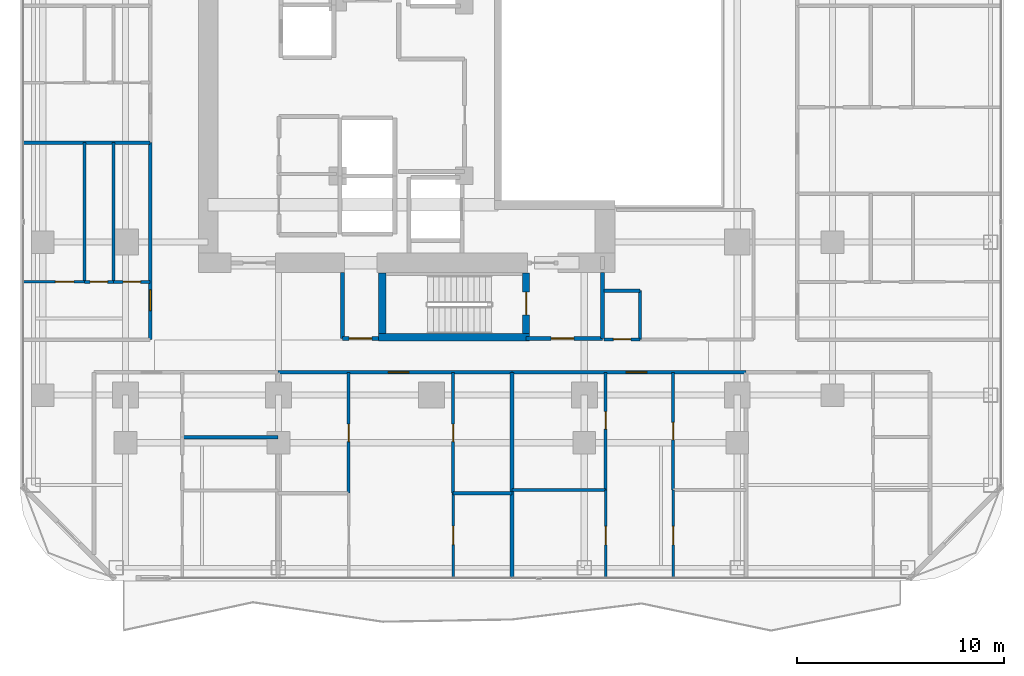
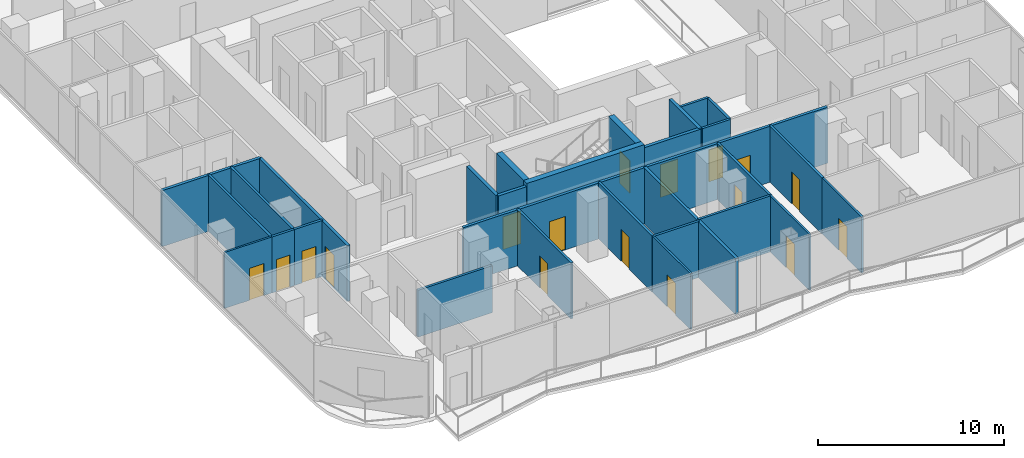
# One storey, part 21 of 29: 30 walls, 17 doors, 17 openings.
"""IFC4 building model written with IfcOpenShell, lengths in metres."""

import ifcopenshell
import ifcopenshell.guid

model = None  # the IFC model being written
_history = None  # IfcOwnerHistory: only IFC2X3 demands one
_inside = {}  # id of a spatial element -> (the spatial element, [elements in it])
_under = {}  # id of a project, library or spatial element -> (it, [spatial elements below it])
_declared = {}  # id of a project -> (the project, [libraries it declares])
_typed = {}  # id of a type object -> (the type object, [elements of that type])
_made_of = {}  # id of a material, layer set ... -> (it, [elements and type objects made of it])


def new_model(schema):
    """Start an empty IFC model of exactly this schema.

    Asked for "IFC4X3", IfcOpenShell would pick the latest addendum, in which some entities
    have other attributes; the version numbers below select the first issue.
    IFC2X3 requires an IfcOwnerHistory on every rooted entity: one is made here for all.
    """
    global model, _history
    if schema == "IFC4X3":
        model = ifcopenshell.file(schema_version=(4, 3, 0, 0))
    else:
        model = ifcopenshell.file(schema=schema)
    _inside.clear()
    _under.clear()
    _declared.clear()
    _typed.clear()
    _made_of.clear()
    _history = None
    if model.schema == "IFC2X3":
        org = make("IfcOrganization", Name="unknown")
        user = make(
            "IfcPersonAndOrganization",
            ThePerson=make("IfcPerson", FamilyName="unknown"),
            TheOrganization=org,
        )
        app = make(
            "IfcApplication",
            ApplicationDeveloper=org,
            Version="unknown",
            ApplicationFullName="unknown",
            ApplicationIdentifier="unknown",
        )
        _history = make(
            "IfcOwnerHistory",
            OwningUser=user,
            OwningApplication=app,
            ChangeAction="ADDED",
            CreationDate=0,
        )
    return model


def make(cls, **values):
    """One entity of the class cls with the attributes given. An attribute that is None is left unset."""
    return model.create_entity(
        cls, **{name: value for name, value in values.items() if value is not None}
    )


def rooted(cls, **values):
    """An entity with a GlobalId (a new one), such as an element, a storey or a relation."""
    return make(cls, GlobalId=ifcopenshell.guid.new(), OwnerHistory=_history, **values)


def si_unit(unit_type, name, prefix=None):
    """IfcSIUnit, for example si_unit("LENGTHUNIT", "METRE", prefix="MILLI")."""
    return make("IfcSIUnit", UnitType=unit_type, Prefix=prefix, Name=name)


def assignment(units):
    """IfcUnitAssignment: the units of a project."""
    return None if units is None else make("IfcUnitAssignment", Units=units)


def point(xyz):
    """IfcCartesianPoint."""
    return None if xyz is None else make("IfcCartesianPoint", Coordinates=xyz)


def direction(xyz):
    """IfcDirection."""
    return None if xyz is None else make("IfcDirection", DirectionRatios=xyz)


def frame(location, z_axis=None, x_axis=None):
    """IfcAxis2Placement3D, a coordinate frame: its origin and axes. An axis left out is left unset."""
    return make(
        "IfcAxis2Placement3D",
        Location=point(location),
        Axis=direction(z_axis),
        RefDirection=direction(x_axis),
    )


def frame_2d(location, x_axis=None):
    """IfcAxis2Placement2D, a coordinate frame in the plane: its origin and x axis."""
    return make(
        "IfcAxis2Placement2D", Location=point(location), RefDirection=direction(x_axis)
    )


def origin():
    """The frame at (0, 0, 0) with its axes left unset."""
    return frame((0.0, 0.0, 0.0))


def place(relative_to, where):
    """IfcLocalPlacement: puts the frame where relative to a parent placement (None: the world)."""
    return make(
        "IfcLocalPlacement", PlacementRelTo=relative_to, RelativePlacement=where
    )


def context(
    kind, dimensions, precision=None, world=None, true_north=None, identifier=None
):
    """IfcGeometricRepresentationContext, for example the 3D "Model" context."""
    return make(
        "IfcGeometricRepresentationContext",
        ContextIdentifier=identifier,
        ContextType=kind,
        CoordinateSpaceDimension=dimensions,
        Precision=precision,
        WorldCoordinateSystem=world,
        TrueNorth=true_north,
    )


def subcontext(parent, identifier, kind, view, scale=None):
    """IfcGeometricRepresentationSubContext, for example "Body" below "Model"."""
    return make(
        "IfcGeometricRepresentationSubContext",
        ContextIdentifier=identifier,
        ContextType=kind,
        ParentContext=parent,
        TargetScale=scale,
        TargetView=view,
    )


def project(units=None, contexts=None):
    """IfcProject with its units and contexts."""
    return rooted(
        "IfcProject",
        Name="project",
        RepresentationContexts=contexts,
        UnitsInContext=assignment(units),
    )


def spatial(cls, under=None, at=None, **own):
    """A site, building, storey or space (cls), placed at a placement, below another one or the project."""
    s = rooted(cls, ObjectPlacement=at, **own)
    if under is not None:
        _under.setdefault(under.id(), (under, []))[1].append(s)
    return s


def profile(cls, at=None, kind="AREA", **sizes):
    """A parametric profile (cls). Its sizes go by their IFC names, for example OverallWidth=200.0."""
    return make(cls, ProfileType=kind, Position=at, **sizes)


def rectangle(**sizes):
    """IfcRectangleProfileDef."""
    return profile("IfcRectangleProfileDef", **sizes)


def extrude(swept, where, along, depth):
    """IfcExtrudedAreaSolid: the profile swept, set in the frame where, extruded along a direction by depth."""
    return make(
        "IfcExtrudedAreaSolid",
        SweptArea=swept,
        Position=where,
        ExtrudedDirection=direction(along),
        Depth=depth,
    )


def shape(context_of_items, identifier, shape_type, items):
    """IfcShapeRepresentation: the items that make up one representation, for example the "Body"."""
    return make(
        "IfcShapeRepresentation",
        ContextOfItems=context_of_items,
        RepresentationIdentifier=identifier,
        RepresentationType=shape_type,
        Items=items,
    )


def material(Name=None, Category=None):
    """IfcMaterial."""
    return make("IfcMaterial", Name=Name, Category=Category)


def layer(
    of_material, thickness, ventilated=None, Name=None, Category=None, Priority=None
):
    """IfcMaterialLayer: one layer of a wall or slab, of a material (None: an air gap)."""
    return make(
        "IfcMaterialLayer",
        Material=of_material,
        LayerThickness=thickness,
        IsVentilated=ventilated,
        Name=Name,
        Category=Category,
        Priority=Priority,
    )


def layer_set(layers, Name=None):
    """IfcMaterialLayerSet."""
    return make("IfcMaterialLayerSet", MaterialLayers=layers, LayerSetName=Name)


def made_of(thing, what):
    """Note that an element or type object is made of a material, layer set ...; save() writes the relation."""
    if what is not None:
        _made_of.setdefault(what.id(), (what, []))[1].append(thing)
    return thing


def type_object(cls, material=None, **own):
    """A type object (cls), such as IfcWallType, which elements share."""
    return made_of(rooted(cls, **own), material)


def element(
    cls,
    number,
    at=None,
    inside=None,
    cuts=None,
    type_object=None,
    material=None,
    context=None,
    identifier="Body",
    shape_type=None,
    held_by="IfcProductDefinitionShape",
    body=None,
    shapes=None,
    **own,
):
    """One element of the class cls, such as IfcWall. Its Tag is "e" and its number.

    at: its placement. inside: the storey or other place that contains it. cuts: it is an
    opening in that element (IfcRelVoidsElement). A single representation is given by context,
    identifier, shape_type and body (its items); several are given by shapes. held_by: the class
    of the entity that holds the representations. save() writes the other relations.
    """
    e = rooted(cls, Tag="e%d" % number, ObjectPlacement=at, **own)
    if body is not None:
        shapes = [shape(context, identifier, shape_type, body)]
    if shapes is not None:
        e.Representation = make(held_by, Representations=shapes)
    if inside is not None:
        _inside.setdefault(inside.id(), (inside, []))[1].append(e)
    if cuts is not None:
        rooted(
            "IfcRelVoidsElement", RelatingBuildingElement=cuts, RelatedOpeningElement=e
        )
    if type_object is not None:
        _typed.setdefault(type_object.id(), (type_object, []))[1].append(e)
    return made_of(e, material)


def fill(opening, filler):
    """IfcRelFillsElement: the door or window that sits in an opening."""
    return rooted(
        "IfcRelFillsElement",
        RelatingOpeningElement=opening,
        RelatedBuildingElement=filler,
    )


def aggregate(whole, parts):
    """IfcRelAggregates: a whole, such as a stair, and the parts it consists of."""
    return rooted("IfcRelAggregates", RelatingObject=whole, RelatedObjects=parts)


def save(model, path):
    """Write the relations noted so far, then the file.

    IfcRelAggregates (storeys below a building ...), IfcRelContainedInSpatialStructure (elements
    in a storey), IfcRelDefinesByType, IfcRelAssociatesMaterial and IfcRelDeclares: one each for
    every whole, place, type object, material and project.
    """
    for whole, parts in _under.values():
        aggregate(whole, parts)
    for where, things in _inside.values():
        rooted(
            "IfcRelContainedInSpatialStructure",
            RelatedElements=things,
            RelatingStructure=where,
        )
    for kind, things in _typed.values():
        rooted("IfcRelDefinesByType", RelatedObjects=things, RelatingType=kind)
    for what, things in _made_of.values():
        rooted("IfcRelAssociatesMaterial", RelatedObjects=things, RelatingMaterial=what)
    for by, libraries in _declared.values():
        rooted("IfcRelDeclares", RelatingContext=by, RelatedDefinitions=libraries)
    model.write(path)


model = new_model("IFC4")

# Units and contexts
model_context = context("Model", 3, precision=1e-05, world=origin(), true_north=direction((0.0, 1.0)))
body_context = subcontext(model_context, "Body", "Model", "MODEL_VIEW")
ifc_project = project(units=[si_unit("LENGTHUNIT", "METRE"), si_unit("AREAUNIT", "SQUARE_METRE"), si_unit("VOLUMEUNIT", "CUBIC_METRE"), si_unit("PLANEANGLEUNIT", "RADIAN"), si_unit("MASSUNIT", "GRAM", prefix="KILO")], contexts=[model_context])

# Site, building, storey
site_placement = place(None, origin())
site = spatial("IfcSite", under=ifc_project, at=site_placement, CompositionType="ELEMENT")
building_placement = place(site_placement, origin())
building = spatial("IfcBuilding", under=site, at=building_placement, Name="Khorvyn Point Tower", CompositionType="ELEMENT")
storey_placement = place(building_placement, frame((0.0, 0.0, 140.699951171875)))
storey = spatial("IfcBuildingStorey", under=building, at=storey_placement, Name="L35", CompositionType="ELEMENT", Elevation=140.699951171875)

# Wall, opening, door
ifc_material_1 = material(Name="Double acoustic gypsum on twin steel stud", Category="steel")
ifc_layer_1 = layer(ifc_material_1, 0.179931640625)
ifc_layer_set_1 = layer_set([ifc_layer_1], Name="Acoustic Double-Stud Apartment Demising Wall 180")
wall_type_1 = type_object("IfcWallType", Name="Acoustic Double-Stud Apartment Demising Wall 180", PredefinedType="PARTITIONING", material=ifc_layer_set_1)
wall_1_placement = place(storey_placement, frame((-7.423095703125, -13.699951171875, 0.0), z_axis=(0.0, 0.0, 1.0), x_axis=(1.0, 0.0, 0.0)))
wall_1 = element("IfcWall", 1, at=wall_1_placement, inside=storey, type_object=wall_type_1, Name="Wall", PredefinedType="PARTITIONING", context=body_context, shape_type="SweptSolid", body=[
    extrude(rectangle(XDim=11.322998046875, YDim=0.179931640625, at=frame_2d((5.66162109375, 0.0))), origin(), (0.0, 0.0, 1.0), 3.679931640625),
])
opening_1_placement = place(wall_1_placement, frame((5.340087890625, 0.0, 0.0)))
opening_1 = element("IfcOpeningElement", 2, at=opening_1_placement, cuts=wall_1, Name="Opening ID-AP60", PredefinedType="OPENING", context=body_context, shape_type="SweptSolid", body=[
    extrude(rectangle(XDim=1.0, YDim=2.199951171875, at=frame_2d((0.5, 1.10009765625))), frame((0.0, 0.099853515625, 0.0), z_axis=(0.0, -1.0, 0.0), x_axis=(1.0, 0.0, 0.0)), (0.0, 0.0, 1.0), 0.199951171875),
])
ifc_material_2 = material(Name="Engineered hardwood fire-rated leaf", Category="wood")
door_type_1 = type_object("IfcDoorType", Name="Acoustic Solid-Core Timber Apartment Entrance Door 1000x2200", OperationType="NOTDEFINED", PredefinedType="DOOR", material=ifc_material_2)
door_1_placement = place(opening_1_placement, origin())
door_1 = element("IfcDoor", 3, at=door_1_placement, inside=storey, type_object=door_type_1, Name="Door", OperationType="SINGLE_SWING_RIGHT", OverallHeight=2.199951171875, OverallWidth=1.0, PredefinedType="DOOR", context=body_context, shape_type="SweptSolid", body=[
    extrude(rectangle(XDim=1.0, YDim=2.199951171875, at=frame_2d((0.5, 1.10009765625))), frame((0.0, 0.02490234375, 0.0), z_axis=(0.0, -1.0, 0.0), x_axis=(1.0, 0.0, 0.0)), (0.0, 0.0, 1.0), 0.050048828125),
])
fill(opening_1, door_1)

wall_2_placement = place(storey_placement, frame((3.89990234375, -13.699951171875, 0.0), z_axis=(0.0, 0.0, 1.0), x_axis=(1.0, 0.0, 0.0)))
wall_2 = element("IfcWall", 4, at=wall_2_placement, inside=storey, type_object=wall_type_1, Name="Wall", PredefinedType="PARTITIONING", context=body_context, shape_type="SweptSolid", body=[
    extrude(rectangle(XDim=11.322998046875, YDim=0.179931640625, at=frame_2d((5.66162109375, 0.0))), origin(), (0.0, 0.0, 1.0), 3.679931640625),
])
opening_2_placement = place(wall_2_placement, frame((5.518798828125, 0.0, 0.0)))
opening_2 = element("IfcOpeningElement", 5, at=opening_2_placement, cuts=wall_2, Name="Opening ID-AP60", PredefinedType="OPENING", context=body_context, shape_type="SweptSolid", body=[
    extrude(rectangle(XDim=1.0, YDim=2.199951171875, at=frame_2d((0.5, 1.10009765625))), frame((0.0, 0.099853515625, 0.0), z_axis=(0.0, -1.0, 0.0), x_axis=(1.0, 0.0, 0.0)), (0.0, 0.0, 1.0), 0.199951171875),
])
door_2_placement = place(opening_2_placement, origin())
door_2 = element("IfcDoor", 6, at=door_2_placement, inside=storey, type_object=door_type_1, Name="Door", OperationType="SINGLE_SWING_LEFT", OverallHeight=2.199951171875, OverallWidth=1.0, PredefinedType="DOOR", context=body_context, shape_type="SweptSolid", body=[
    extrude(rectangle(XDim=1.0, YDim=2.199951171875, at=frame_2d((0.5, 1.10009765625))), frame((0.0, 0.02490234375, 0.0), z_axis=(0.0, -1.0, 0.0), x_axis=(1.0, 0.0, 0.0)), (0.0, 0.0, 1.0), 0.050048828125),
])
fill(opening_2, door_2)

wall_3_placement = place(storey_placement, frame((-13.60009765625, -12.1201171875, 0.0), z_axis=(0.0, 0.0, 1.0), x_axis=(0.0, 1.0, 0.0)))
wall_3 = element("IfcWall", 7, at=wall_3_placement, inside=storey, type_object=wall_type_1, Name="Wall", PredefinedType="PARTITIONING", context=body_context, shape_type="SweptSolid", body=[
    extrude(rectangle(XDim=9.5341796875, YDim=0.179931640625, at=frame_2d((4.76708984375, 0.0))), origin(), (0.0, 0.0, 1.0), 3.679931640625),
])
opening_3_placement = place(wall_3_placement, frame((1.409912109375, 0.0, 0.0)))
opening_3 = element("IfcOpeningElement", 8, at=opening_3_placement, cuts=wall_3, Name="Opening ID-AP60", PredefinedType="OPENING", context=body_context, shape_type="SweptSolid", body=[
    extrude(rectangle(XDim=1.0, YDim=2.199951171875, at=frame_2d((0.5, 1.10009765625))), frame((0.0, 0.099853515625, 0.0), z_axis=(0.0, -1.0, 0.0), x_axis=(1.0, 0.0, 0.0)), (0.0, 0.0, 1.0), 0.199951171875),
])
door_3_placement = place(opening_3_placement, origin())
door_3 = element("IfcDoor", 9, at=door_3_placement, inside=storey, type_object=door_type_1, Name="Door", OperationType="SINGLE_SWING_RIGHT", OverallHeight=2.199951171875, OverallWidth=1.0, PredefinedType="DOOR", context=body_context, shape_type="SweptSolid", body=[
    extrude(rectangle(XDim=1.0, YDim=2.199951171875, at=frame_2d((0.5, 1.10009765625))), frame((0.0, 0.02490234375, 0.0), z_axis=(0.0, -1.0, 0.0), x_axis=(1.0, 0.0, 0.0)), (0.0, 0.0, 1.0), 0.050048828125),
])
fill(opening_3, door_3)

# Walls
wall_4_placement = place(storey_placement, frame((3.89990234375, -23.6298828125, 0.0), z_axis=(0.0, 0.0, 1.0), x_axis=(0.0, 1.0, 0.0)))
element("IfcWall", 10, at=wall_4_placement, inside=storey, type_object=wall_type_1, Name="Wall", PredefinedType="PARTITIONING", context=body_context, shape_type="SweptSolid", body=[
    extrude(rectangle(XDim=9.929931640625, YDim=0.179931640625, at=frame_2d((4.96484375, 0.0))), origin(), (0.0, 0.0, 1.0), 3.679931640625),
])
wall_5_placement = place(storey_placement, frame((-19.72998046875, -2.5859375, 0.0), z_axis=(0.0, 0.0, 1.0), x_axis=(1.0, 0.0, 0.0)))
element("IfcWall", 11, at=wall_5_placement, inside=storey, type_object=wall_type_1, Name="Wall", PredefinedType="PARTITIONING", context=body_context, shape_type="SweptSolid", body=[
    extrude(rectangle(XDim=6.1298828125, YDim=0.179931640625, at=frame_2d((3.06494140625, 0.0))), origin(), (0.0, 0.0, 1.0), 3.679931640625),
])

# Wall, opening, door
ifc_material_3 = material(Name="Concrete C40/50", Category="concrete")
ifc_layer_2 = layer(ifc_material_3, 0.199951171875)
ifc_layer_set_2 = layer_set([ifc_layer_2], Name="Concrete C40/50 Fire-Lobby Compartment Wall 200")
wall_type_2 = type_object("IfcWallType", Name="Concrete C40/50 Fire-Lobby Compartment Wall 200", PredefinedType="SOLIDWALL", material=ifc_layer_set_2)
wall_6_placement = place(storey_placement, frame((4.580078125, -12.06005859375, 0.0), z_axis=(0.0, 0.0, 1.0), x_axis=(1.0, 0.0, 0.0)))
wall_6 = element("IfcWall", 12, at=wall_6_placement, inside=storey, type_object=wall_type_2, Name="Wall", PredefinedType="SOLIDWALL", context=body_context, shape_type="SweptSolid", body=[
    extrude(rectangle(XDim=3.699951171875, YDim=0.199951171875, at=frame_2d((1.85009765625, 0.0))), origin(), (0.0, 0.0, 1.0), 3.679931640625),
])
opening_4_placement = place(wall_6_placement, frame((1.21240234375, 0.0, 0.0)))
opening_4 = element("IfcOpeningElement", 13, at=opening_4_placement, cuts=wall_6, Name="Opening ID-FL90", PredefinedType="OPENING", context=body_context, shape_type="SweptSolid", body=[
    extrude(rectangle(XDim=1.10009765625, YDim=2.14990234375, at=frame_2d((0.550048828125, 1.074951171875))), frame((0.0, 0.10986328125, 0.0), z_axis=(0.0, -1.0, 0.0), x_axis=(1.0, 0.0, 0.0)), (0.0, 0.0, 1.0), 0.219970703125),
])
ifc_material_4 = material(Name="Galvanised powder-coated steel", Category="steel")
door_type_2 = type_object("IfcDoorType", Name="Fire-Rated Steel Lobby and Stair Door 1100x2150", OperationType="NOTDEFINED", PredefinedType="DOOR", material=ifc_material_4)
door_4_placement = place(opening_4_placement, origin())
door_4 = element("IfcDoor", 14, at=door_4_placement, inside=storey, type_object=door_type_2, Name="Door", OperationType="SINGLE_SWING_LEFT", OverallHeight=2.14990234375, OverallWidth=1.10009765625, PredefinedType="DOOR", context=body_context, shape_type="SweptSolid", body=[
    extrude(rectangle(XDim=1.10009765625, YDim=2.14990234375, at=frame_2d((0.550048828125, 1.074951171875))), frame((0.0, 0.02490234375, 0.0), z_axis=(0.0, -1.0, 0.0), x_axis=(1.0, 0.0, 0.0)), (0.0, 0.0, 1.0), 0.050048828125),
])
fill(opening_4, door_4)

wall_7_placement = place(storey_placement, frame((-4.300048828125, -12.06005859375, 0.0), z_axis=(0.0, 0.0, 1.0), x_axis=(1.0, 0.0, 0.0)))
wall_7 = element("IfcWall", 15, at=wall_7_placement, inside=storey, type_object=wall_type_2, Name="Wall", PredefinedType="SOLIDWALL", context=body_context, shape_type="SweptSolid", body=[
    extrude(rectangle(XDim=1.75, YDim=0.199951171875, at=frame_2d((0.875, 0.0))), origin(), (0.0, 0.0, 1.0), 3.679931640625),
])
opening_5_placement = place(wall_7_placement, frame((0.324951171875, 0.0, 0.0)))
opening_5 = element("IfcOpeningElement", 16, at=opening_5_placement, cuts=wall_7, Name="Opening ID-FL90", PredefinedType="OPENING", context=body_context, shape_type="SweptSolid", body=[
    extrude(rectangle(XDim=1.10009765625, YDim=2.14990234375, at=frame_2d((0.550048828125, 1.074951171875))), frame((0.0, 0.10986328125, 0.0), z_axis=(0.0, -1.0, 0.0), x_axis=(1.0, 0.0, 0.0)), (0.0, 0.0, 1.0), 0.219970703125),
])
door_5_placement = place(opening_5_placement, origin())
door_5 = element("IfcDoor", 17, at=door_5_placement, inside=storey, type_object=door_type_2, Name="Door", OperationType="SINGLE_SWING_RIGHT", OverallHeight=2.14990234375, OverallWidth=1.10009765625, PredefinedType="DOOR", context=body_context, shape_type="SweptSolid", body=[
    extrude(rectangle(XDim=1.10009765625, YDim=2.14990234375, at=frame_2d((0.550048828125, 1.074951171875))), frame((0.0, 0.02490234375, 0.0), z_axis=(0.0, -1.0, 0.0), x_axis=(1.0, 0.0, 0.0)), (0.0, 0.0, 1.0), 0.050048828125),
])
fill(opening_5, door_5)

# Walls
for number, where, z_axis, x_axis, name in (
    (18, (8.280029296875, -12.06005859375, 0.0), (0.0, 0.0, 1.0), (0.0, 1.0, 0.0), "Wall"),
    (19, (-4.300048828125, -12.06005859375, 0.0), (0.0, 0.0, 1.0), (0.0, 1.0, 0.0), "Wall"),
):
    element("IfcWall", number, at=place(storey_placement, frame(where, z_axis=z_axis, x_axis=x_axis)), inside=storey, type_object=wall_type_2, Name=name, PredefinedType="SOLIDWALL", context=body_context, shape_type="SweptSolid", body=[
        extrude(rectangle(XDim=3.18505859375, YDim=0.199951171875, at=frame_2d((1.592529296875, 0.0))), origin(), (0.0, 0.0, 1.0), 3.679931640625),
    ])
ifc_layer_3 = layer(ifc_material_3, 0.35009765625)
ifc_layer_set_3 = layer_set([ifc_layer_3], Name="Concrete C40/50 Stair Shaft Structural Wall 350")
wall_type_3 = type_object("IfcWallType", Name="Concrete C40/50 Stair Shaft Structural Wall 350", PredefinedType="SHEAR", material=ifc_layer_set_3)
wall_8_placement = place(storey_placement, frame((-2.554931640625, -12.0, 0.0), z_axis=(0.0, 0.0, 1.0), x_axis=(1.0, 0.0, 0.0)))
element("IfcWall", 20, at=wall_8_placement, inside=storey, type_object=wall_type_3, Name="L35 ST-01 South Shaft Wall", PredefinedType="SHEAR", context=body_context, shape_type="SweptSolid", body=[
    extrude(rectangle(XDim=7.309814453125, YDim=0.35009765625, at=frame_2d((3.65478515625, 0.0))), origin(), (0.0, 0.0, 1.0), 3.900146484375),
])
wall_9_placement = place(storey_placement, frame((-2.3798828125, -11.824951171875, 0.0), z_axis=(0.0, 0.0, 1.0), x_axis=(0.0, 1.0, 0.0)))
element("IfcWall", 21, at=wall_9_placement, inside=storey, type_object=wall_type_3, Name="L35 ST-01 West Shaft Wall", PredefinedType="SHEAR", context=body_context, shape_type="SweptSolid", body=[
    extrude(rectangle(XDim=2.925048828125, YDim=0.35009765625, at=frame_2d((1.46240234375, 0.0))), origin(), (0.0, 0.0, 1.0), 3.900146484375),
])

# Wall, opening, door
wall_10_placement = place(storey_placement, frame((4.580078125, -8.89990234375, 0.0), z_axis=(0.0, 0.0, 1.0), x_axis=(0.0, -1.0, 0.0)))
wall_10 = element("IfcWall", 22, at=wall_10_placement, inside=storey, type_object=wall_type_3, Name="L35 ST-01 East Landing Door Wall", PredefinedType="SHEAR", context=body_context, shape_type="SweptSolid", body=[
    extrude(rectangle(XDim=2.925048828125, YDim=0.35009765625, at=frame_2d((1.46240234375, 0.0))), origin(), (0.0, 0.0, 1.0), 3.900146484375),
])
opening_6_placement = place(wall_10_placement, frame((0.91259765625, 0.0, 0.0)))
opening_6 = element("IfcOpeningElement", 23, at=opening_6_placement, cuts=wall_10, Name="Opening ID-FL90", PredefinedType="OPENING", context=body_context, shape_type="SweptSolid", body=[
    extrude(rectangle(XDim=1.10009765625, YDim=2.14990234375, at=frame_2d((0.550048828125, 1.074951171875))), frame((0.0, 0.18505859375, 0.0), z_axis=(0.0, -1.0, 0.0), x_axis=(1.0, 0.0, 0.0)), (0.0, 0.0, 1.0), 0.3701171875),
])
door_6_placement = place(opening_6_placement, origin())
door_6 = element("IfcDoor", 24, at=door_6_placement, inside=storey, type_object=door_type_2, Name="L35 ST-01 Smokeproof Landing Door", OperationType="SINGLE_SWING_LEFT", OverallHeight=2.14990234375, OverallWidth=1.10009765625, PredefinedType="DOOR", context=body_context, shape_type="SweptSolid", body=[
    extrude(rectangle(XDim=1.10009765625, YDim=2.14990234375, at=frame_2d((0.550048828125, 1.074951171875))), frame((0.0, 0.02490234375, 0.0), z_axis=(0.0, -1.0, 0.0), x_axis=(1.0, 0.0, 0.0)), (0.0, 0.0, 1.0), 0.050048828125),
])
fill(opening_6, door_6)

ifc_material_5 = material(Name="Gypsum plasterboard on steel stud", Category="steel")
ifc_layer_4 = layer(ifc_material_5, 0.1201171875)
ifc_layer_set_4 = layer_set([ifc_layer_4], Name="Gypsum Acoustic Stud Room Partition Wall 120")
wall_type_4 = type_object("IfcWallType", Name="Gypsum Acoustic Stud Room Partition Wall 120", PredefinedType="PARTITIONING", material=ifc_layer_set_4)
wall_11_placement = place(storey_placement, frame((1.050048828125, -23.6298828125, 0.0), z_axis=(0.0, 0.0, 1.0), x_axis=(0.0, 1.0, 0.0)))
wall_11 = element("IfcWall", 25, at=wall_11_placement, inside=storey, type_object=wall_type_4, Name="Wall", PredefinedType="PARTITIONING", context=body_context, shape_type="SweptSolid", body=[
    extrude(rectangle(XDim=4.0849609375, YDim=0.1201171875, at=frame_2d((2.04248046875, 0.0))), origin(), (0.0, 0.0, 1.0), 3.679931640625),
])
opening_7_placement = place(wall_11_placement, frame((1.592529296875, 0.0, 0.0)))
opening_7 = element("IfcOpeningElement", 26, at=opening_7_placement, cuts=wall_11, Name="Opening ID-RM90", PredefinedType="OPENING", context=body_context, shape_type="SweptSolid", body=[
    extrude(rectangle(XDim=0.89990234375, YDim=2.10009765625, at=frame_2d((0.449951171875, 1.050048828125))), frame((0.0, 0.070068359375, 0.0), z_axis=(0.0, -1.0, 0.0), x_axis=(1.0, 0.0, 0.0)), (0.0, 0.0, 1.0), 0.14013671875),
])
ifc_material_6 = material(Name="Engineered oak veneer timber", Category="wood")
door_type_3 = type_object("IfcDoorType", Name="Flush Engineered Timber Room Door 900x2100", OperationType="NOTDEFINED", PredefinedType="DOOR", material=ifc_material_6)
door_7_placement = place(opening_7_placement, origin())
door_7 = element("IfcDoor", 27, at=door_7_placement, inside=storey, type_object=door_type_3, Name="Door", OperationType="SINGLE_SWING_RIGHT", OverallHeight=2.10009765625, OverallWidth=0.89990234375, PredefinedType="DOOR", context=body_context, shape_type="SweptSolid", body=[
    extrude(rectangle(XDim=0.89990234375, YDim=2.10009765625, at=frame_2d((0.449951171875, 1.050048828125))), frame((0.0, 0.02490234375, 0.0), z_axis=(0.0, -1.0, 0.0), x_axis=(1.0, 0.0, 0.0)), (0.0, 0.0, 1.0), 0.050048828125),
])
fill(opening_7, door_7)

wall_12_placement = place(storey_placement, frame((8.428955078125, -23.6298828125, 0.0), z_axis=(0.0, 0.0, 1.0), x_axis=(0.0, 1.0, 0.0)))
wall_12 = element("IfcWall", 28, at=wall_12_placement, inside=storey, type_object=wall_type_4, Name="Wall", PredefinedType="PARTITIONING", context=body_context, shape_type="SweptSolid", body=[
    extrude(rectangle(XDim=4.239990234375, YDim=0.1201171875, at=frame_2d((2.1201171875, 0.0))), origin(), (0.0, 0.0, 1.0), 3.679931640625),
])
opening_8_placement = place(wall_12_placement, frame((1.581298828125, 0.0, 0.0)))
opening_8 = element("IfcOpeningElement", 29, at=opening_8_placement, cuts=wall_12, Name="Opening ID-RM90", PredefinedType="OPENING", context=body_context, shape_type="SweptSolid", body=[
    extrude(rectangle(XDim=0.89990234375, YDim=2.10009765625, at=frame_2d((0.449951171875, 1.050048828125))), frame((0.0, 0.070068359375, 0.0), z_axis=(0.0, -1.0, 0.0), x_axis=(1.0, 0.0, 0.0)), (0.0, 0.0, 1.0), 0.14013671875),
])
door_8_placement = place(opening_8_placement, origin())
door_8 = element("IfcDoor", 30, at=door_8_placement, inside=storey, type_object=door_type_3, Name="Door", OperationType="SINGLE_SWING_LEFT", OverallHeight=2.10009765625, OverallWidth=0.89990234375, PredefinedType="DOOR", context=body_context, shape_type="SweptSolid", body=[
    extrude(rectangle(XDim=0.89990234375, YDim=2.10009765625, at=frame_2d((0.449951171875, 1.050048828125))), frame((0.0, 0.02490234375, 0.0), z_axis=(0.0, -1.0, 0.0), x_axis=(1.0, 0.0, 0.0)), (0.0, 0.0, 1.0), 0.050048828125),
])
fill(opening_8, door_8)

wall_13_placement = place(storey_placement, frame((11.68994140625, -23.6298828125, 0.0), z_axis=(0.0, 0.0, 1.0), x_axis=(0.0, 1.0, 0.0)))
wall_13 = element("IfcWall", 31, at=wall_13_placement, inside=storey, type_object=wall_type_4, Name="Wall", PredefinedType="PARTITIONING", context=body_context, shape_type="SweptSolid", body=[
    extrude(rectangle(XDim=4.239990234375, YDim=0.1201171875, at=frame_2d((2.1201171875, 0.0))), origin(), (0.0, 0.0, 1.0), 3.679931640625),
])
opening_9_placement = place(wall_13_placement, frame((1.581298828125, 0.0, 0.0)))
opening_9 = element("IfcOpeningElement", 32, at=opening_9_placement, cuts=wall_13, Name="Opening ID-RM90", PredefinedType="OPENING", context=body_context, shape_type="SweptSolid", body=[
    extrude(rectangle(XDim=0.89990234375, YDim=2.10009765625, at=frame_2d((0.449951171875, 1.050048828125))), frame((0.0, 0.070068359375, 0.0), z_axis=(0.0, -1.0, 0.0), x_axis=(1.0, 0.0, 0.0)), (0.0, 0.0, 1.0), 0.14013671875),
])
door_9_placement = place(opening_9_placement, origin())
door_9 = element("IfcDoor", 33, at=door_9_placement, inside=storey, type_object=door_type_3, Name="Door", OperationType="SINGLE_SWING_LEFT", OverallHeight=2.10009765625, OverallWidth=0.89990234375, PredefinedType="DOOR", context=body_context, shape_type="SweptSolid", body=[
    extrude(rectangle(XDim=0.89990234375, YDim=2.10009765625, at=frame_2d((0.449951171875, 1.050048828125))), frame((0.0, 0.02490234375, 0.0), z_axis=(0.0, -1.0, 0.0), x_axis=(1.0, 0.0, 0.0)), (0.0, 0.0, 1.0), 0.050048828125),
])
fill(opening_9, door_9)

wall_14_placement = place(storey_placement, frame((-19.72998046875, -9.320068359375, 0.0), z_axis=(0.0, 0.0, 1.0), x_axis=(1.0, 0.0, 0.0)))
wall_14 = element("IfcWall", 34, at=wall_14_placement, inside=storey, type_object=wall_type_4, Name="Wall", PredefinedType="PARTITIONING", context=body_context, shape_type="SweptSolid", body=[
    extrude(rectangle(XDim=2.946044921875, YDim=0.1201171875, at=frame_2d((1.47314453125, 0.0))), origin(), (0.0, 0.0, 1.0), 3.679931640625),
])
opening_10_placement = place(wall_14_placement, frame((1.540771484375, 0.0, 0.0)))
opening_10 = element("IfcOpeningElement", 35, at=opening_10_placement, cuts=wall_14, Name="Opening ID-RM90", PredefinedType="OPENING", context=body_context, shape_type="SweptSolid", body=[
    extrude(rectangle(XDim=0.89990234375, YDim=2.10009765625, at=frame_2d((0.449951171875, 1.050048828125))), frame((0.0, 0.070068359375, 0.0), z_axis=(0.0, -1.0, 0.0), x_axis=(1.0, 0.0, 0.0)), (0.0, 0.0, 1.0), 0.14013671875),
])
door_10_placement = place(opening_10_placement, origin())
door_10 = element("IfcDoor", 36, at=door_10_placement, inside=storey, type_object=door_type_3, Name="Door", OperationType="SINGLE_SWING_LEFT", OverallHeight=2.10009765625, OverallWidth=0.89990234375, PredefinedType="DOOR", context=body_context, shape_type="SweptSolid", body=[
    extrude(rectangle(XDim=0.89990234375, YDim=2.10009765625, at=frame_2d((0.449951171875, 1.050048828125))), frame((0.0, 0.02490234375, 0.0), z_axis=(0.0, -1.0, 0.0), x_axis=(1.0, 0.0, 0.0)), (0.0, 0.0, 1.0), 0.050048828125),
])
fill(opening_10, door_10)

ifc_material_7 = material(Name="Moisture-resistant gypsum and cement board", Category="gypsum")
ifc_layer_5 = layer(ifc_material_7, 0.14990234375)
ifc_layer_set_5 = layer_set([ifc_layer_5], Name="Moisture-Resistant Wet-Room Partition Wall 150")
wall_type_5 = type_object("IfcWallType", Name="Moisture-Resistant Wet-Room Partition Wall 150", PredefinedType="PARTITIONING", material=ifc_layer_set_5)
wall_15_placement = place(storey_placement, frame((8.360107421875, -12.10009765625, 0.0), z_axis=(0.0, 0.0, 1.0), x_axis=(1.0, 0.0, 0.0)))
wall_15 = element("IfcWall", 37, at=wall_15_placement, inside=storey, type_object=wall_type_5, Name="Wall", PredefinedType="PARTITIONING", context=body_context, shape_type="SweptSolid", body=[
    extrude(rectangle(XDim=1.739990234375, YDim=0.14990234375, at=frame_2d((0.8701171875, 0.0))), origin(), (0.0, 0.0, 1.0), 3.679931640625),
])
opening_11_placement = place(wall_15_placement, frame((0.445068359375, 0.0, 0.0)))
opening_11 = element("IfcOpeningElement", 38, at=opening_11_placement, cuts=wall_15, Name="Opening ID-WC85", PredefinedType="OPENING", context=body_context, shape_type="SweptSolid", body=[
    extrude(rectangle(XDim=0.85009765625, YDim=2.10009765625, at=frame_2d((0.425048828125, 1.050048828125))), frame((0.0, 0.0849609375, 0.0), z_axis=(0.0, -1.0, 0.0), x_axis=(1.0, 0.0, 0.0)), (0.0, 0.0, 1.0), 0.169921875),
])
ifc_material_8 = material(Name="High-pressure laminate on moisture-resistant core", Category="wood")
door_type_4 = type_object("IfcDoorType", Name="Moisture-Resistant Accessible Washroom Door 850x2100", OperationType="NOTDEFINED", PredefinedType="DOOR", material=ifc_material_8)
door_11_placement = place(opening_11_placement, origin())
door_11 = element("IfcDoor", 39, at=door_11_placement, inside=storey, type_object=door_type_4, Name="Door", OperationType="SINGLE_SWING_RIGHT", OverallHeight=2.10009765625, OverallWidth=0.85009765625, PredefinedType="DOOR", context=body_context, shape_type="SweptSolid", body=[
    extrude(rectangle(XDim=0.85009765625, YDim=2.10009765625, at=frame_2d((0.425048828125, 1.050048828125))), frame((0.0, 0.02490234375, 0.0), z_axis=(0.0, -1.0, 0.0), x_axis=(1.0, 0.0, 0.0)), (0.0, 0.0, 1.0), 0.050048828125),
])
fill(opening_11, door_11)

wall_16_placement = place(storey_placement, frame((-4.0009765625, -19.544921875, 0.0), z_axis=(0.0, 0.0, 1.0), x_axis=(0.0, 1.0, 0.0)))
wall_16 = element("IfcWall", 40, at=wall_16_placement, inside=storey, type_object=wall_type_5, Name="Wall", PredefinedType="PARTITIONING", context=body_context, shape_type="SweptSolid", body=[
    extrude(rectangle(XDim=5.844970703125, YDim=0.14990234375, at=frame_2d((2.92236328125, 0.0))), origin(), (0.0, 0.0, 1.0), 3.679931640625),
])
opening_12_placement = place(wall_16_placement, frame((2.49755859375, 0.0, 0.0)))
opening_12 = element("IfcOpeningElement", 41, at=opening_12_placement, cuts=wall_16, Name="Opening ID-WC85", PredefinedType="OPENING", context=body_context, shape_type="SweptSolid", body=[
    extrude(rectangle(XDim=0.85009765625, YDim=2.10009765625, at=frame_2d((0.425048828125, 1.050048828125))), frame((0.0, 0.0849609375, 0.0), z_axis=(0.0, -1.0, 0.0), x_axis=(1.0, 0.0, 0.0)), (0.0, 0.0, 1.0), 0.169921875),
])
door_12_placement = place(opening_12_placement, origin())
door_12 = element("IfcDoor", 42, at=door_12_placement, inside=storey, type_object=door_type_4, Name="Door", OperationType="SINGLE_SWING_LEFT", OverallHeight=2.10009765625, OverallWidth=0.85009765625, PredefinedType="DOOR", context=body_context, shape_type="SweptSolid", body=[
    extrude(rectangle(XDim=0.85009765625, YDim=2.10009765625, at=frame_2d((0.425048828125, 1.050048828125))), frame((0.0, 0.02490234375, 0.0), z_axis=(0.0, -1.0, 0.0), x_axis=(1.0, 0.0, 0.0)), (0.0, 0.0, 1.0), 0.050048828125),
])
fill(opening_12, door_12)

wall_17_placement = place(storey_placement, frame((1.050048828125, -19.544921875, 0.0), z_axis=(0.0, 0.0, 1.0), x_axis=(0.0, 1.0, 0.0)))
wall_17 = element("IfcWall", 43, at=wall_17_placement, inside=storey, type_object=wall_type_5, Name="Wall", PredefinedType="PARTITIONING", context=body_context, shape_type="SweptSolid", body=[
    extrude(rectangle(XDim=5.844970703125, YDim=0.14990234375, at=frame_2d((2.92236328125, 0.0))), origin(), (0.0, 0.0, 1.0), 3.679931640625),
])
opening_13_placement = place(wall_17_placement, frame((2.49755859375, 0.0, 0.0)))
opening_13 = element("IfcOpeningElement", 44, at=opening_13_placement, cuts=wall_17, Name="Opening ID-WC85", PredefinedType="OPENING", context=body_context, shape_type="SweptSolid", body=[
    extrude(rectangle(XDim=0.85009765625, YDim=2.10009765625, at=frame_2d((0.425048828125, 1.050048828125))), frame((0.0, 0.0849609375, 0.0), z_axis=(0.0, -1.0, 0.0), x_axis=(1.0, 0.0, 0.0)), (0.0, 0.0, 1.0), 0.169921875),
])
door_13_placement = place(opening_13_placement, origin())
door_13 = element("IfcDoor", 45, at=door_13_placement, inside=storey, type_object=door_type_4, Name="Door", OperationType="SINGLE_SWING_LEFT", OverallHeight=2.10009765625, OverallWidth=0.85009765625, PredefinedType="DOOR", context=body_context, shape_type="SweptSolid", body=[
    extrude(rectangle(XDim=0.85009765625, YDim=2.10009765625, at=frame_2d((0.425048828125, 1.050048828125))), frame((0.0, 0.02490234375, 0.0), z_axis=(0.0, -1.0, 0.0), x_axis=(1.0, 0.0, 0.0)), (0.0, 0.0, 1.0), 0.050048828125),
])
fill(opening_13, door_13)

wall_18_placement = place(storey_placement, frame((8.428955078125, -19.389892578125, 0.0), z_axis=(0.0, 0.0, 1.0), x_axis=(0.0, 1.0, 0.0)))
wall_18 = element("IfcWall", 46, at=wall_18_placement, inside=storey, type_object=wall_type_5, Name="Wall", PredefinedType="PARTITIONING", context=body_context, shape_type="SweptSolid", body=[
    extrude(rectangle(XDim=5.68994140625, YDim=0.14990234375, at=frame_2d((2.844970703125, 0.0))), origin(), (0.0, 0.0, 1.0), 3.679931640625),
])
opening_14_placement = place(wall_18_placement, frame((2.94140625, 0.0, 0.0)))
opening_14 = element("IfcOpeningElement", 47, at=opening_14_placement, cuts=wall_18, Name="Opening ID-WC85", PredefinedType="OPENING", context=body_context, shape_type="SweptSolid", body=[
    extrude(rectangle(XDim=0.85009765625, YDim=2.10009765625, at=frame_2d((0.425048828125, 1.050048828125))), frame((0.0, 0.0849609375, 0.0), z_axis=(0.0, -1.0, 0.0), x_axis=(1.0, 0.0, 0.0)), (0.0, 0.0, 1.0), 0.169921875),
])
door_14_placement = place(opening_14_placement, origin())
door_14 = element("IfcDoor", 48, at=door_14_placement, inside=storey, type_object=door_type_4, Name="Door", OperationType="SINGLE_SWING_RIGHT", OverallHeight=2.10009765625, OverallWidth=0.85009765625, PredefinedType="DOOR", context=body_context, shape_type="SweptSolid", body=[
    extrude(rectangle(XDim=0.85009765625, YDim=2.10009765625, at=frame_2d((0.425048828125, 1.050048828125))), frame((0.0, 0.02490234375, 0.0), z_axis=(0.0, -1.0, 0.0), x_axis=(1.0, 0.0, 0.0)), (0.0, 0.0, 1.0), 0.050048828125),
])
fill(opening_14, door_14)

wall_19_placement = place(storey_placement, frame((11.68994140625, -19.389892578125, 0.0), z_axis=(0.0, 0.0, 1.0), x_axis=(0.0, 1.0, 0.0)))
wall_19 = element("IfcWall", 49, at=wall_19_placement, inside=storey, type_object=wall_type_5, Name="Wall", PredefinedType="PARTITIONING", context=body_context, shape_type="SweptSolid", body=[
    extrude(rectangle(XDim=5.68994140625, YDim=0.14990234375, at=frame_2d((2.844970703125, 0.0))), origin(), (0.0, 0.0, 1.0), 3.679931640625),
])
opening_15_placement = place(wall_19_placement, frame((2.419921875, 0.0, 0.0)))
opening_15 = element("IfcOpeningElement", 50, at=opening_15_placement, cuts=wall_19, Name="Opening ID-WC85", PredefinedType="OPENING", context=body_context, shape_type="SweptSolid", body=[
    extrude(rectangle(XDim=0.85009765625, YDim=2.10009765625, at=frame_2d((0.425048828125, 1.050048828125))), frame((0.0, 0.0849609375, 0.0), z_axis=(0.0, -1.0, 0.0), x_axis=(1.0, 0.0, 0.0)), (0.0, 0.0, 1.0), 0.169921875),
])
door_15_placement = place(opening_15_placement, origin())
door_15 = element("IfcDoor", 51, at=door_15_placement, inside=storey, type_object=door_type_4, Name="Door", OperationType="SINGLE_SWING_RIGHT", OverallHeight=2.10009765625, OverallWidth=0.85009765625, PredefinedType="DOOR", context=body_context, shape_type="SweptSolid", body=[
    extrude(rectangle(XDim=0.85009765625, YDim=2.10009765625, at=frame_2d((0.425048828125, 1.050048828125))), frame((0.0, 0.02490234375, 0.0), z_axis=(0.0, -1.0, 0.0), x_axis=(1.0, 0.0, 0.0)), (0.0, 0.0, 1.0), 0.050048828125),
])
fill(opening_15, door_15)

wall_20_placement = place(storey_placement, frame((-16.783935546875, -9.320068359375, 0.0), z_axis=(0.0, 0.0, 1.0), x_axis=(1.0, 0.0, 0.0)))
wall_20 = element("IfcWall", 52, at=wall_20_placement, inside=storey, type_object=wall_type_5, Name="Wall", PredefinedType="PARTITIONING", context=body_context, shape_type="SweptSolid", body=[
    extrude(rectangle(XDim=1.39990234375, YDim=0.14990234375, at=frame_2d((0.699951171875, 0.0))), origin(), (0.0, 0.0, 1.0), 3.679931640625),
])
opening_16_placement = place(wall_20_placement, frame((0.27490234375, 0.0, 0.0)))
opening_16 = element("IfcOpeningElement", 53, at=opening_16_placement, cuts=wall_20, Name="Opening ID-WC85", PredefinedType="OPENING", context=body_context, shape_type="SweptSolid", body=[
    extrude(rectangle(XDim=0.85009765625, YDim=2.10009765625, at=frame_2d((0.425048828125, 1.050048828125))), frame((0.0, 0.0849609375, 0.0), z_axis=(0.0, -1.0, 0.0), x_axis=(1.0, 0.0, 0.0)), (0.0, 0.0, 1.0), 0.169921875),
])
door_16_placement = place(opening_16_placement, origin())
door_16 = element("IfcDoor", 54, at=door_16_placement, inside=storey, type_object=door_type_4, Name="Door", OperationType="SINGLE_SWING_LEFT", OverallHeight=2.10009765625, OverallWidth=0.85009765625, PredefinedType="DOOR", context=body_context, shape_type="SweptSolid", body=[
    extrude(rectangle(XDim=0.85009765625, YDim=2.10009765625, at=frame_2d((0.425048828125, 1.050048828125))), frame((0.0, 0.02490234375, 0.0), z_axis=(0.0, -1.0, 0.0), x_axis=(1.0, 0.0, 0.0)), (0.0, 0.0, 1.0), 0.050048828125),
])
fill(opening_16, door_16)

wall_21_placement = place(storey_placement, frame((-15.384033203125, -9.320068359375, 0.0), z_axis=(0.0, 0.0, 1.0), x_axis=(1.0, 0.0, 0.0)))
wall_21 = element("IfcWall", 55, at=wall_21_placement, inside=storey, type_object=wall_type_5, Name="Wall", PredefinedType="PARTITIONING", context=body_context, shape_type="SweptSolid", body=[
    extrude(rectangle(XDim=1.783935546875, YDim=0.14990234375, at=frame_2d((0.89208984375, 0.0))), origin(), (0.0, 0.0, 1.0), 3.679931640625),
])
opening_17_placement = place(wall_21_placement, frame((0.467041015625, 0.0, 0.0)))
opening_17 = element("IfcOpeningElement", 56, at=opening_17_placement, cuts=wall_21, Name="Opening ID-WC85", PredefinedType="OPENING", context=body_context, shape_type="SweptSolid", body=[
    extrude(rectangle(XDim=0.85009765625, YDim=2.10009765625, at=frame_2d((0.425048828125, 1.050048828125))), frame((0.0, 0.0849609375, 0.0), z_axis=(0.0, -1.0, 0.0), x_axis=(1.0, 0.0, 0.0)), (0.0, 0.0, 1.0), 0.169921875),
])
door_17_placement = place(opening_17_placement, origin())
door_17 = element("IfcDoor", 57, at=door_17_placement, inside=storey, type_object=door_type_4, Name="Door", OperationType="SINGLE_SWING_RIGHT", OverallHeight=2.10009765625, OverallWidth=0.85009765625, PredefinedType="DOOR", context=body_context, shape_type="SweptSolid", body=[
    extrude(rectangle(XDim=0.85009765625, YDim=2.10009765625, at=frame_2d((0.425048828125, 1.050048828125))), frame((0.0, 0.02490234375, 0.0), z_axis=(0.0, -1.0, 0.0), x_axis=(1.0, 0.0, 0.0)), (0.0, 0.0, 1.0), 0.050048828125),
])
fill(opening_17, door_17)

# Walls
wall_22_placement = place(storey_placement, frame((8.360107421875, -9.75, 0.0), z_axis=(0.0, 0.0, 1.0), x_axis=(1.0, 0.0, 0.0)))
element("IfcWall", 58, at=wall_22_placement, inside=storey, type_object=wall_type_5, Name="Wall", PredefinedType="PARTITIONING", context=body_context, shape_type="SweptSolid", body=[
    extrude(rectangle(XDim=1.739990234375, YDim=0.14990234375, at=frame_2d((0.8701171875, 0.0))), origin(), (0.0, 0.0, 1.0), 3.679931640625),
])
wall_23_placement = place(storey_placement, frame((10.10009765625, -12.10009765625, 0.0), z_axis=(0.0, 0.0, 1.0), x_axis=(0.0, 1.0, 0.0)))
element("IfcWall", 59, at=wall_23_placement, inside=storey, type_object=wall_type_5, Name="Wall", PredefinedType="PARTITIONING", context=body_context, shape_type="SweptSolid", body=[
    extrude(rectangle(XDim=2.35009765625, YDim=0.14990234375, at=frame_2d((1.175048828125, 0.0))), origin(), (0.0, 0.0, 1.0), 3.679931640625),
])
wall_24_placement = place(storey_placement, frame((-12.049072265625, -16.837890625, 0.0), z_axis=(0.0, 0.0, 1.0), x_axis=(1.0, 0.0, 0.0)))
element("IfcWall", 60, at=wall_24_placement, inside=storey, type_object=wall_type_5, Name="Wall", PredefinedType="PARTITIONING", context=body_context, shape_type="SweptSolid", body=[
    extrude(rectangle(XDim=4.6259765625, YDim=0.14990234375, at=frame_2d((2.31298828125, 0.0))), origin(), (0.0, 0.0, 1.0), 3.08203125),
])
wall_25_placement = place(storey_placement, frame((1.050048828125, -19.544921875, 0.0), z_axis=(0.0, 0.0, 1.0), x_axis=(1.0, 0.0, 0.0)))
element("IfcWall", 61, at=wall_25_placement, inside=storey, type_object=wall_type_5, Name="Wall", PredefinedType="PARTITIONING", context=body_context, shape_type="SweptSolid", body=[
    extrude(rectangle(XDim=2.849853515625, YDim=0.14990234375, at=frame_2d((1.4248046875, 0.0))), origin(), (0.0, 0.0, 1.0), 3.679931640625),
])
wall_26_placement = place(storey_placement, frame((3.89990234375, -19.389892578125, 0.0), z_axis=(0.0, 0.0, 1.0), x_axis=(1.0, 0.0, 0.0)))
element("IfcWall", 62, at=wall_26_placement, inside=storey, type_object=wall_type_5, Name="Wall", PredefinedType="PARTITIONING", context=body_context, shape_type="SweptSolid", body=[
    extrude(rectangle(XDim=4.529052734375, YDim=0.14990234375, at=frame_2d((2.2646484375, 0.0))), origin(), (0.0, 0.0, 1.0), 3.679931640625),
])
for number, where, z_axis, x_axis, name in (
    (63, (-15.384033203125, -9.320068359375, 0.0), (0.0, 0.0, 1.0), (0.0, 1.0, 0.0), "Wall"),
    (64, (-16.783935546875, -9.320068359375, 0.0), (0.0, 0.0, 1.0), (0.0, 1.0, 0.0), "Wall"),
):
    element("IfcWall", number, at=place(storey_placement, frame(where, z_axis=z_axis, x_axis=x_axis)), inside=storey, type_object=wall_type_5, Name=name, PredefinedType="PARTITIONING", context=body_context, shape_type="SweptSolid", body=[
        extrude(rectangle(XDim=6.734130859375, YDim=0.14990234375, at=frame_2d((3.3671875, 0.0))), origin(), (0.0, 0.0, 1.0), 3.679931640625),
    ])

save(model, "model.ifc")
